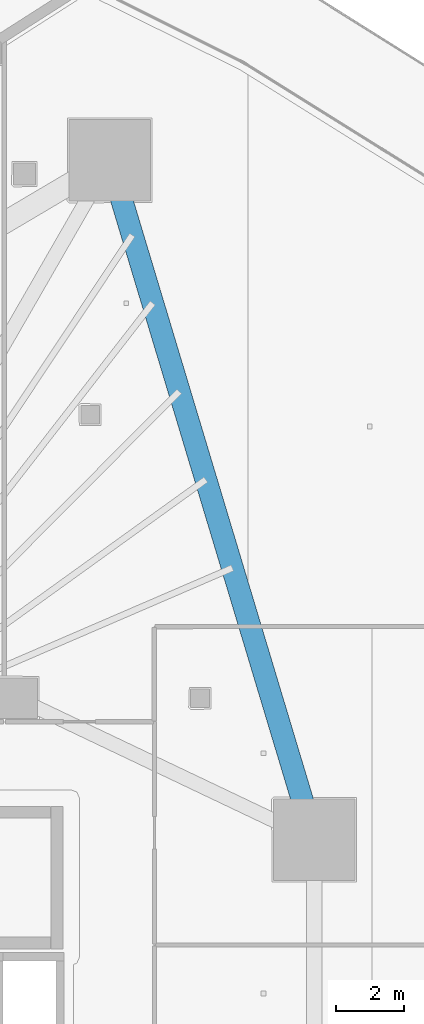
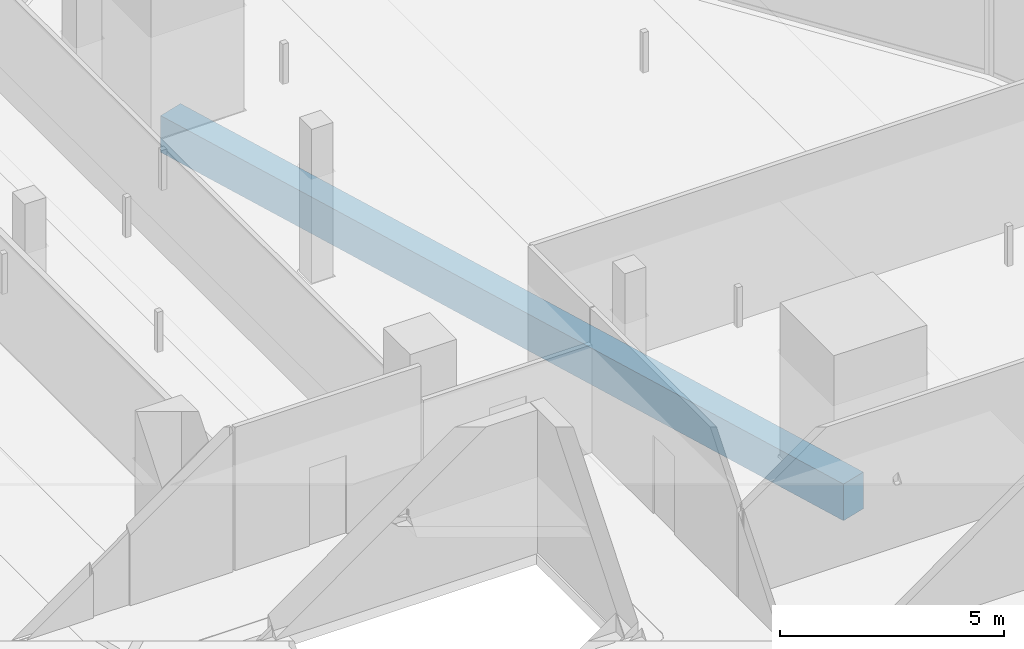
# One storey, part 21 of 45: 1 beam.
"""IFC4 building model written with IfcOpenShell, lengths in metres."""

from ifc_helpers import new_model, si_unit, direction, frame, origin, origin_2d, place, context, subcontext, project, spatial, rectangle, extrude, material, material_profile, profile_set, type_object, element, save


model = new_model("IFC4")

# Units and contexts
model_context = context("Model", 3, precision=1e-05, world=origin(), true_north=direction((0.0, 1.0)))
body_context = subcontext(model_context, "Body", "Model", "MODEL_VIEW")
ifc_project = project(units=[si_unit("LENGTHUNIT", "METRE"), si_unit("AREAUNIT", "SQUARE_METRE"), si_unit("VOLUMEUNIT", "CUBIC_METRE"), si_unit("PLANEANGLEUNIT", "RADIAN"), si_unit("MASSUNIT", "GRAM", prefix="KILO")], contexts=[model_context])

# Site, building, storey
site_placement = place(None, origin())
site = spatial("IfcSite", under=ifc_project, at=site_placement, CompositionType="ELEMENT")
building_placement = place(site_placement, origin())
building = spatial("IfcBuilding", under=site, at=building_placement, Name="Qorvath Tower", CompositionType="ELEMENT")
storey_placement = place(building_placement, frame((0.0, 0.0, 66.0)))
storey = spatial("IfcBuildingStorey", under=building, at=storey_placement, Name="L14", CompositionType="ELEMENT", Elevation=66.0)

# Beam
ifc_material = material(Name="Concrete C50/60", Category="concrete")
ifc_material_profile = material_profile(ifc_material, rectangle(XDim=0.64990234375, YDim=1.0, at=origin_2d()), Name="RCB 1000x650")
ifc_profile_set = profile_set([ifc_material_profile], Name="Concrete C50/60")
beam_type = type_object("IfcBeamType", Name="BM-RCB1", PredefinedType="SPANDREL", material=ifc_profile_set)
beam_placement = place(storey_placement, frame((-8.430419921875, 7.2763671875, -0.780029296875), z_axis=(-0.288118908799, 0.957594639914, 0.0), x_axis=(-0.957594639914, -0.288118908799, 0.0)))
element("IfcBeam", 1, at=beam_placement, inside=storey, type_object=beam_type, Name="Perimeter Loggia Frame Beam MC5-MC6 L14", PredefinedType="SPANDREL", context=body_context, shape_type="SweptSolid", body=[
    extrude(rectangle(XDim=0.64990234375, YDim=1.0, at=origin_2d()), origin(), (0.0, 0.0, 1.0), 20.942626953125),
])

save(model, "model.ifc")
